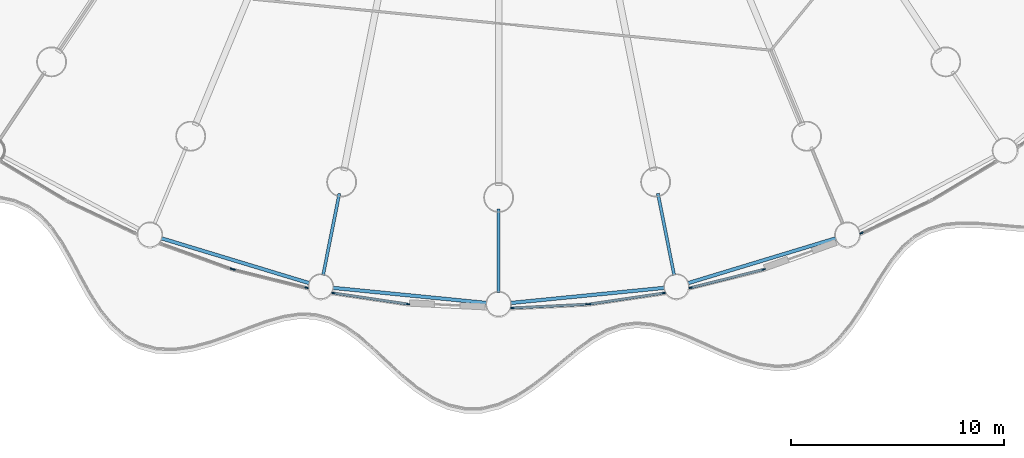
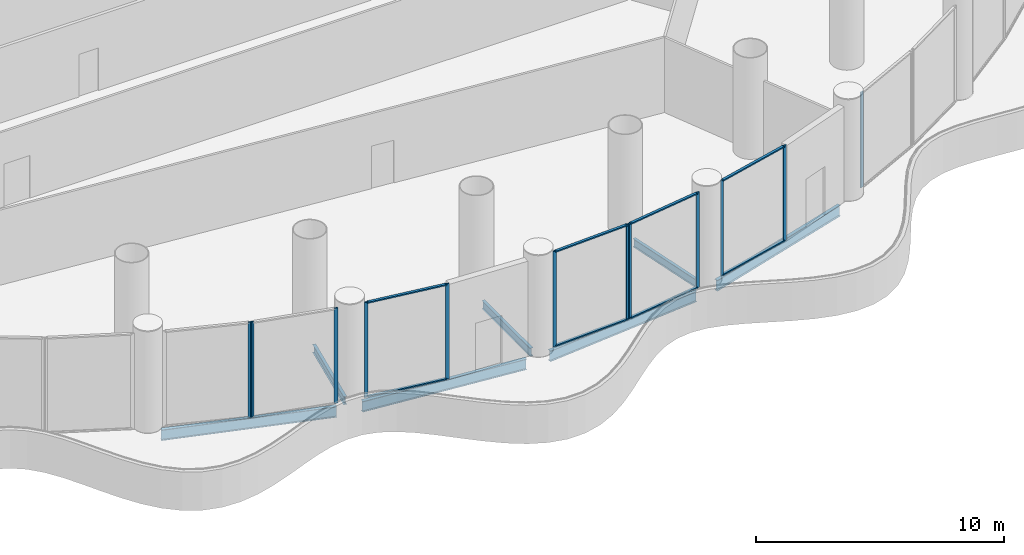
# One storey, part 5 of 38: 20 members, 7 beams, 7 elements without a shape of their own.
"""IFC4 building model written with IfcOpenShell, lengths in metres."""

import ifcopenshell
import ifcopenshell.guid

model = None  # the IFC model being written
_history = None  # IfcOwnerHistory: only IFC2X3 demands one
_inside = {}  # id of a spatial element -> (the spatial element, [elements in it])
_under = {}  # id of a project, library or spatial element -> (it, [spatial elements below it])
_declared = {}  # id of a project -> (the project, [libraries it declares])
_typed = {}  # id of a type object -> (the type object, [elements of that type])
_made_of = {}  # id of a material, layer set ... -> (it, [elements and type objects made of it])


def new_model(schema):
    """Start an empty IFC model of exactly this schema.

    Asked for "IFC4X3", IfcOpenShell would pick the latest addendum, in which some entities
    have other attributes; the version numbers below select the first issue.
    IFC2X3 requires an IfcOwnerHistory on every rooted entity: one is made here for all.
    """
    global model, _history
    if schema == "IFC4X3":
        model = ifcopenshell.file(schema_version=(4, 3, 0, 0))
    else:
        model = ifcopenshell.file(schema=schema)
    _inside.clear()
    _under.clear()
    _declared.clear()
    _typed.clear()
    _made_of.clear()
    _history = None
    if model.schema == "IFC2X3":
        org = make("IfcOrganization", Name="unknown")
        user = make(
            "IfcPersonAndOrganization",
            ThePerson=make("IfcPerson", FamilyName="unknown"),
            TheOrganization=org,
        )
        app = make(
            "IfcApplication",
            ApplicationDeveloper=org,
            Version="unknown",
            ApplicationFullName="unknown",
            ApplicationIdentifier="unknown",
        )
        _history = make(
            "IfcOwnerHistory",
            OwningUser=user,
            OwningApplication=app,
            ChangeAction="ADDED",
            CreationDate=0,
        )
    return model


def make(cls, **values):
    """One entity of the class cls with the attributes given. An attribute that is None is left unset."""
    return model.create_entity(
        cls, **{name: value for name, value in values.items() if value is not None}
    )


def rooted(cls, **values):
    """An entity with a GlobalId (a new one), such as an element, a storey or a relation."""
    return make(cls, GlobalId=ifcopenshell.guid.new(), OwnerHistory=_history, **values)


def si_unit(unit_type, name, prefix=None):
    """IfcSIUnit, for example si_unit("LENGTHUNIT", "METRE", prefix="MILLI")."""
    return make("IfcSIUnit", UnitType=unit_type, Prefix=prefix, Name=name)


def assignment(units):
    """IfcUnitAssignment: the units of a project."""
    return None if units is None else make("IfcUnitAssignment", Units=units)


def point(xyz):
    """IfcCartesianPoint."""
    return None if xyz is None else make("IfcCartesianPoint", Coordinates=xyz)


def direction(xyz):
    """IfcDirection."""
    return None if xyz is None else make("IfcDirection", DirectionRatios=xyz)


def frame(location, z_axis=None, x_axis=None):
    """IfcAxis2Placement3D, a coordinate frame: its origin and axes. An axis left out is left unset."""
    return make(
        "IfcAxis2Placement3D",
        Location=point(location),
        Axis=direction(z_axis),
        RefDirection=direction(x_axis),
    )


def frame_2d(location, x_axis=None):
    """IfcAxis2Placement2D, a coordinate frame in the plane: its origin and x axis."""
    return make(
        "IfcAxis2Placement2D", Location=point(location), RefDirection=direction(x_axis)
    )


def origin():
    """The frame at (0, 0, 0) with its axes left unset."""
    return frame((0.0, 0.0, 0.0))


def origin_2d():
    """The frame at (0, 0) in the plane with its x axis left unset."""
    return frame_2d((0.0, 0.0))


def place(relative_to, where):
    """IfcLocalPlacement: puts the frame where relative to a parent placement (None: the world)."""
    return make(
        "IfcLocalPlacement", PlacementRelTo=relative_to, RelativePlacement=where
    )


def context(
    kind, dimensions, precision=None, world=None, true_north=None, identifier=None
):
    """IfcGeometricRepresentationContext, for example the 3D "Model" context."""
    return make(
        "IfcGeometricRepresentationContext",
        ContextIdentifier=identifier,
        ContextType=kind,
        CoordinateSpaceDimension=dimensions,
        Precision=precision,
        WorldCoordinateSystem=world,
        TrueNorth=true_north,
    )


def subcontext(parent, identifier, kind, view, scale=None):
    """IfcGeometricRepresentationSubContext, for example "Body" below "Model"."""
    return make(
        "IfcGeometricRepresentationSubContext",
        ContextIdentifier=identifier,
        ContextType=kind,
        ParentContext=parent,
        TargetScale=scale,
        TargetView=view,
    )


def project(units=None, contexts=None):
    """IfcProject with its units and contexts."""
    return rooted(
        "IfcProject",
        Name="project",
        RepresentationContexts=contexts,
        UnitsInContext=assignment(units),
    )


def spatial(cls, under=None, at=None, **own):
    """A site, building, storey or space (cls), placed at a placement, below another one or the project."""
    s = rooted(cls, ObjectPlacement=at, **own)
    if under is not None:
        _under.setdefault(under.id(), (under, []))[1].append(s)
    return s


def profile(cls, at=None, kind="AREA", **sizes):
    """A parametric profile (cls). Its sizes go by their IFC names, for example OverallWidth=200.0."""
    return make(cls, ProfileType=kind, Position=at, **sizes)


def rectangle(**sizes):
    """IfcRectangleProfileDef."""
    return profile("IfcRectangleProfileDef", **sizes)


def i_section(**sizes):
    """IfcIShapeProfileDef."""
    return profile("IfcIShapeProfileDef", **sizes)


def extrude(swept, where, along, depth):
    """IfcExtrudedAreaSolid: the profile swept, set in the frame where, extruded along a direction by depth."""
    return make(
        "IfcExtrudedAreaSolid",
        SweptArea=swept,
        Position=where,
        ExtrudedDirection=direction(along),
        Depth=depth,
    )


def shape(context_of_items, identifier, shape_type, items):
    """IfcShapeRepresentation: the items that make up one representation, for example the "Body"."""
    return make(
        "IfcShapeRepresentation",
        ContextOfItems=context_of_items,
        RepresentationIdentifier=identifier,
        RepresentationType=shape_type,
        Items=items,
    )


def material(Name=None, Category=None):
    """IfcMaterial."""
    return make("IfcMaterial", Name=Name, Category=Category)


def material_profile(
    of_material, cross_section, Name=None, Category=None, Priority=None
):
    """IfcMaterialProfile: a cross section and its material."""
    return make(
        "IfcMaterialProfile",
        Name=Name,
        Material=of_material,
        Profile=cross_section,
        Priority=Priority,
        Category=Category,
    )


def profile_set(profiles, Name=None, composite=None):
    """IfcMaterialProfileSet."""
    return make(
        "IfcMaterialProfileSet",
        Name=Name,
        MaterialProfiles=profiles,
        CompositeProfile=composite,
    )


def made_of(thing, what):
    """Note that an element or type object is made of a material, layer set ...; save() writes the relation."""
    if what is not None:
        _made_of.setdefault(what.id(), (what, []))[1].append(thing)
    return thing


def type_object(cls, material=None, **own):
    """A type object (cls), such as IfcWallType, which elements share."""
    return made_of(rooted(cls, **own), material)


def element(
    cls,
    number,
    at=None,
    inside=None,
    cuts=None,
    type_object=None,
    material=None,
    context=None,
    identifier="Body",
    shape_type=None,
    held_by="IfcProductDefinitionShape",
    body=None,
    shapes=None,
    **own,
):
    """One element of the class cls, such as IfcWall. Its Tag is "e" and its number.

    at: its placement. inside: the storey or other place that contains it. cuts: it is an
    opening in that element (IfcRelVoidsElement). A single representation is given by context,
    identifier, shape_type and body (its items); several are given by shapes. held_by: the class
    of the entity that holds the representations. save() writes the other relations.
    """
    e = rooted(cls, Tag="e%d" % number, ObjectPlacement=at, **own)
    if body is not None:
        shapes = [shape(context, identifier, shape_type, body)]
    if shapes is not None:
        e.Representation = make(held_by, Representations=shapes)
    if inside is not None:
        _inside.setdefault(inside.id(), (inside, []))[1].append(e)
    if cuts is not None:
        rooted(
            "IfcRelVoidsElement", RelatingBuildingElement=cuts, RelatedOpeningElement=e
        )
    if type_object is not None:
        _typed.setdefault(type_object.id(), (type_object, []))[1].append(e)
    return made_of(e, material)


def aggregate(whole, parts):
    """IfcRelAggregates: a whole, such as a stair, and the parts it consists of."""
    return rooted("IfcRelAggregates", RelatingObject=whole, RelatedObjects=parts)


def save(model, path):
    """Write the relations noted so far, then the file.

    IfcRelAggregates (storeys below a building ...), IfcRelContainedInSpatialStructure (elements
    in a storey), IfcRelDefinesByType, IfcRelAssociatesMaterial and IfcRelDeclares: one each for
    every whole, place, type object, material and project.
    """
    for whole, parts in _under.values():
        aggregate(whole, parts)
    for where, things in _inside.values():
        rooted(
            "IfcRelContainedInSpatialStructure",
            RelatedElements=things,
            RelatingStructure=where,
        )
    for kind, things in _typed.values():
        rooted("IfcRelDefinesByType", RelatedObjects=things, RelatingType=kind)
    for what, things in _made_of.values():
        rooted("IfcRelAssociatesMaterial", RelatedObjects=things, RelatingMaterial=what)
    for by, libraries in _declared.values():
        rooted("IfcRelDeclares", RelatingContext=by, RelatedDefinitions=libraries)
    model.write(path)


model = new_model("IFC4")

# Units and contexts
model_context = context("Model", 3, precision=1e-05, world=origin(), true_north=direction((0.0, 1.0)))
body_context = subcontext(model_context, "Body", "Model", "MODEL_VIEW")
ifc_project = project(units=[si_unit("LENGTHUNIT", "METRE"), si_unit("AREAUNIT", "SQUARE_METRE"), si_unit("VOLUMEUNIT", "CUBIC_METRE"), si_unit("PLANEANGLEUNIT", "RADIAN"), si_unit("MASSUNIT", "GRAM", prefix="KILO")], contexts=[model_context])

# Site, building, storey
site_placement = place(None, origin())
site = spatial("IfcSite", under=ifc_project, at=site_placement, CompositionType="ELEMENT")
building_placement = place(site_placement, origin())
building = spatial("IfcBuilding", under=site, at=building_placement, Name="Corvane Civic Tower", CompositionType="ELEMENT")
storey_placement = place(building_placement, frame((0.0, 0.0, 32.0)))
storey = spatial("IfcBuildingStorey", under=building, at=storey_placement, Name="L06", CompositionType="ELEMENT", Elevation=32.0)

# Beams
ifc_material_1 = material(Name="Steel ASTM A992 Gr 50", Category="steel")
ifc_material_profile_1 = material_profile(ifc_material_1, i_section(OverallWidth=0.165771484375, OverallDepth=0.5283203125, WebThickness=0.009765625, FlangeThickness=0.013671875, at=origin_2d()), Name="W21X50")
ifc_profile_set_1 = profile_set([ifc_material_profile_1], Name="Steel ASTM A992 Gr 50")
beam_type_1 = type_object("IfcBeamType", Name="EDGE BEAM W21X50", PredefinedType="BEAM", material=ifc_profile_set_1)
for number, where, z_axis, x_axis, name in (
    (1, (15.814208984375, -39.609375, -0.564208984375), (-0.956938225664, -0.290291633127, 0.0), (0.290291633127, -0.956938225664, 0.0), "BM-L06-E15"),
    (2, (7.782958984375, -41.93359375, -0.564208984375), (-0.995187967953, -0.097984225478, 0.0), (0.097984225478, -0.995187967953, 0.0), "BM-L06-E16"),
    (3, (-0.54736328125, -42.64599609375, -0.564208984375), (-0.995187967953, 0.097984225478, 0.0), (-0.097984225478, -0.995187967953, 0.0), "BM-L06-E17"),
    (4, (-8.856689453125, -41.719970703125, -0.564208984375), (-0.956938225664, 0.290291633127, 0.0), (-0.290291633127, -0.956938225664, 0.0), "BM-L06-E18"),
):
    element("IfcBeam", number, at=place(storey_placement, frame(where, z_axis=z_axis, x_axis=x_axis)), inside=storey, type_object=beam_type_1, Name=name, PredefinedType="BEAM", context=body_context, shape_type="SweptSolid", body=[
        extrude(i_section(OverallWidth=0.165771484375, OverallDepth=0.5283203125, WebThickness=0.009765625, FlangeThickness=0.013671875, at=origin_2d()), origin(), (0.0, 0.0, 1.0), 7.2705078125),
    ])
ifc_material_2 = material(Name="Steel ASTM A992 Gr 50", Category="steel")
ifc_material_profile_2 = material_profile(ifc_material_2, i_section(OverallWidth=0.140380859375, OverallDepth=0.40380859375, WebThickness=0.007080078125, FlangeThickness=0.01123046875, at=origin_2d()), Name="W16X31")
ifc_profile_set_2 = profile_set([ifc_material_profile_2], Name="Steel ASTM A992 Gr 50")
beam_type_2 = type_object("IfcBeamType", Name="FLOOR GIRDER W16X31", PredefinedType="BEAM", material=ifc_profile_set_2)
for number, where, z_axis, x_axis, name in (
    (5, (7.462158203125, -37.51513671875, -0.501953125), (0.195128858343, -0.980777614264, 0.0), (0.980777614264, 0.195128858343, 0.0), "BM-L06-G16b"),
    (6, (0.0, -38.25, -0.501953125), (0.0, -1.0, 0.0), (1.0, 0.0, 0.0), "BM-L06-G17b"),
    (7, (-7.462158203125, -37.51513671875, -0.501953125), (-0.195128858343, -0.980777614264, 0.0), (0.980777614264, -0.195128858343, 0.0), "BM-L06-G18b"),
):
    element("IfcBeam", number, at=place(storey_placement, frame(where, z_axis=z_axis, x_axis=x_axis)), inside=storey, type_object=beam_type_2, Name=name, PredefinedType="BEAM", context=body_context, shape_type="SweptSolid", body=[
        extrude(i_section(OverallWidth=0.140380859375, OverallDepth=0.40380859375, WebThickness=0.007080078125, FlangeThickness=0.01123046875, at=origin_2d()), origin(), (0.0, 0.0, 1.0), 3.89990234375),
    ])

# Curtain wall, member
ifc_material_3 = material(Name="Aluminium and glass", Category="aluminium")
curtain_wall_type = type_object("IfcCurtainWallType", Name="PODIUM-CW-P-RUN", PredefinedType="NOTDEFINED", material=ifc_material_3)
curtain_wall_1_placement = place(storey_placement, origin())
curtain_wall_1 = element("IfcCurtainWall", 8, at=curtain_wall_1_placement, inside=storey, type_object=curtain_wall_type, Name="PODI run L06-drum-14B", PredefinedType="NOTDEFINED")
ifc_material_4 = material(Name="Anodised aluminium bronze", Category="aluminium")
ifc_material_profile_3 = material_profile(ifc_material_4, rectangle(XDim=0.06005859375, YDim=0.159912109375, at=origin_2d()), Name="AL 60x160")
ifc_profile_set_3 = profile_set([ifc_material_profile_3], Name="Anodised aluminium bronze")
member_type_1 = type_object("IfcMemberType", Name="PODIUM-CWP-MULLION-60x160", PredefinedType="MULLION", material=ifc_profile_set_3)
member_1_placement = place(storey_placement, frame((17.00439453125, -39.36767578125, 0.0), z_axis=(0.0, 0.0, 1.0), x_axis=(0.42755312852, -0.903990222454, 0.0)))
member_1 = element("IfcMember", 9, at=member_1_placement, type_object=member_type_1, Name="CW-P mullion 2", PredefinedType="MULLION", context=body_context, shape_type="SweptSolid", body=[
    extrude(rectangle(XDim=0.06005859375, YDim=0.159912109375, at=origin_2d()), origin(), (0.0, 0.0, 1.0), 4.699951171875),
])
aggregate(curtain_wall_1, [member_1])

# Curtain wall, members
curtain_wall_2_placement = place(storey_placement, origin())
curtain_wall_2 = element("IfcCurtainWall", 10, at=curtain_wall_2_placement, inside=storey, type_object=curtain_wall_type, Name="PODI run L06-drum-15B", PredefinedType="NOTDEFINED")
member_2_placement = place(storey_placement, frame((12.411865234375, -41.0732421875, 0.0), z_axis=(0.0, 0.0, 1.0), x_axis=(0.243008852393, -0.970024070659, 0.0)))
member_2 = element("IfcMember", 11, at=member_2_placement, type_object=member_type_1, Name="CW-P mullion 1", PredefinedType="MULLION", context=body_context, shape_type="SweptSolid", body=[
    extrude(rectangle(XDim=0.06005859375, YDim=0.159912109375, at=origin_2d()), origin(), (0.0, 0.0, 1.0), 4.699951171875),
])
member_3_placement = place(storey_placement, frame((8.99755859375, -41.9287109375, 0.0), z_axis=(0.0, 0.0, 1.0), x_axis=(0.243008852393, -0.970024070659, 0.0)))
member_3 = element("IfcMember", 12, at=member_3_placement, type_object=member_type_1, Name="CW-P mullion 2", PredefinedType="MULLION", context=body_context, shape_type="SweptSolid", body=[
    extrude(rectangle(XDim=0.06005859375, YDim=0.159912109375, at=origin_2d()), origin(), (0.0, 0.0, 1.0), 4.699951171875),
])

curtain_wall_3_placement = place(storey_placement, origin())
curtain_wall_3 = element("IfcCurtainWall", 13, at=curtain_wall_3_placement, inside=storey, type_object=curtain_wall_type, Name="PODI run L06-drum-16A", PredefinedType="NOTDEFINED")
member_4_placement = place(storey_placement, frame((7.732666015625, -42.18017578125, 0.0), z_axis=(0.0, 0.0, 1.0), x_axis=(0.146714694252, -0.989178850608, 0.0)))
member_4 = element("IfcMember", 14, at=member_4_placement, type_object=member_type_1, Name="CW-P mullion 1", PredefinedType="MULLION", context=body_context, shape_type="SweptSolid", body=[
    extrude(rectangle(XDim=0.06005859375, YDim=0.159912109375, at=origin_2d()), origin(), (0.0, 0.0, 1.0), 4.699951171875),
])
member_5_placement = place(storey_placement, frame((4.2509765625, -42.696533203125, 0.0), z_axis=(0.0, 0.0, 1.0), x_axis=(0.146714694252, -0.989178850608, 0.0)))
member_5 = element("IfcMember", 15, at=member_5_placement, type_object=member_type_1, Name="CW-P mullion 2", PredefinedType="MULLION", context=body_context, shape_type="SweptSolid", body=[
    extrude(rectangle(XDim=0.06005859375, YDim=0.159912109375, at=origin_2d()), origin(), (0.0, 0.0, 1.0), 4.699951171875),
])

curtain_wall_4_placement = place(storey_placement, origin())
curtain_wall_4 = element("IfcCurtainWall", 16, at=curtain_wall_4_placement, inside=storey, type_object=curtain_wall_type, Name="PODI run L06-drum-16B", PredefinedType="NOTDEFINED")
member_6_placement = place(storey_placement, frame((4.16064453125, -42.70556640625, 0.0), z_axis=(0.0, 0.0, 1.0), x_axis=(0.04905015332, -0.998796316803, 0.0)))
member_6 = element("IfcMember", 17, at=member_6_placement, type_object=member_type_1, Name="CW-P mullion 1", PredefinedType="MULLION", context=body_context, shape_type="SweptSolid", body=[
    extrude(rectangle(XDim=0.06005859375, YDim=0.159912109375, at=origin_2d()), origin(), (0.0, 0.0, 1.0), 4.699951171875),
])
member_7_placement = place(storey_placement, frame((0.644775390625, -42.878173828125, 0.0), z_axis=(0.0, 0.0, 1.0), x_axis=(0.04905015332, -0.998796316803, 0.0)))
member_7 = element("IfcMember", 18, at=member_7_placement, type_object=member_type_1, Name="CW-P mullion 2", PredefinedType="MULLION", context=body_context, shape_type="SweptSolid", body=[
    extrude(rectangle(XDim=0.06005859375, YDim=0.159912109375, at=origin_2d()), origin(), (0.0, 0.0, 1.0), 4.699951171875),
])

curtain_wall_5_placement = place(storey_placement, origin())
curtain_wall_5 = element("IfcCurtainWall", 19, at=curtain_wall_5_placement, inside=storey, type_object=curtain_wall_type, Name="PODI run L06-drum-17B", PredefinedType="NOTDEFINED")
member_8_placement = place(storey_placement, frame((-4.2509765625, -42.696533203125, 0.0), z_axis=(0.0, 0.0, 1.0), x_axis=(-0.146714694252, -0.989178850608, 0.0)))
member_8 = element("IfcMember", 20, at=member_8_placement, type_object=member_type_1, Name="CW-P mullion 1", PredefinedType="MULLION", context=body_context, shape_type="SweptSolid", body=[
    extrude(rectangle(XDim=0.06005859375, YDim=0.159912109375, at=origin_2d()), origin(), (0.0, 0.0, 1.0), 4.699951171875),
])
member_9_placement = place(storey_placement, frame((-7.732666015625, -42.18017578125, 0.0), z_axis=(0.0, 0.0, 1.0), x_axis=(-0.146714694252, -0.989178850608, 0.0)))
member_9 = element("IfcMember", 21, at=member_9_placement, type_object=member_type_1, Name="CW-P mullion 2", PredefinedType="MULLION", context=body_context, shape_type="SweptSolid", body=[
    extrude(rectangle(XDim=0.06005859375, YDim=0.159912109375, at=origin_2d()), origin(), (0.0, 0.0, 1.0), 4.699951171875),
])

curtain_wall_6_placement = place(storey_placement, origin())
curtain_wall_6 = element("IfcCurtainWall", 22, at=curtain_wall_6_placement, inside=storey, type_object=curtain_wall_type, Name="PODI run L06-drum-18A", PredefinedType="NOTDEFINED")
member_10_placement = place(storey_placement, frame((-8.99755859375, -41.9287109375, 0.0), z_axis=(0.0, 0.0, 1.0), x_axis=(-0.243008852393, -0.970024070659, 0.0)))
member_10 = element("IfcMember", 23, at=member_10_placement, type_object=member_type_1, Name="CW-P mullion 1", PredefinedType="MULLION", context=body_context, shape_type="SweptSolid", body=[
    extrude(rectangle(XDim=0.06005859375, YDim=0.159912109375, at=origin_2d()), origin(), (0.0, 0.0, 1.0), 4.699951171875),
])
member_11_placement = place(storey_placement, frame((-12.411865234375, -41.0732421875, 0.0), z_axis=(0.0, 0.0, 1.0), x_axis=(-0.243008852393, -0.970024070659, 0.0)))
member_11 = element("IfcMember", 24, at=member_11_placement, type_object=member_type_1, Name="CW-P mullion 2", PredefinedType="MULLION", context=body_context, shape_type="SweptSolid", body=[
    extrude(rectangle(XDim=0.06005859375, YDim=0.159912109375, at=origin_2d()), origin(), (0.0, 0.0, 1.0), 4.699951171875),
])
aggregate(curtain_wall_6, [member_10, member_11])

# Curtain wall, member
curtain_wall_7_placement = place(storey_placement, origin())
curtain_wall_7 = element("IfcCurtainWall", 25, at=curtain_wall_7_placement, inside=storey, type_object=curtain_wall_type, Name="PODI run L06-drum-18B", PredefinedType="NOTDEFINED")
member_12_placement = place(storey_placement, frame((-12.4990234375, -41.046875, 0.0), z_axis=(0.0, 0.0, 1.0), x_axis=(-0.336918534123, -0.941533802561, 0.0)))
member_12 = element("IfcMember", 26, at=member_12_placement, type_object=member_type_1, Name="CW-P mullion 1", PredefinedType="MULLION", context=body_context, shape_type="SweptSolid", body=[
    extrude(rectangle(XDim=0.06005859375, YDim=0.159912109375, at=origin_2d()), origin(), (0.0, 0.0, 1.0), 4.699951171875),
])
aggregate(curtain_wall_7, [member_12])

# Member
ifc_material_5 = material(Name="Anodised aluminium bronze", Category="aluminium")
ifc_material_profile_4 = material_profile(ifc_material_5, rectangle(XDim=0.1201171875, YDim=0.06005859375, at=origin_2d()), Name="AL 120x60")
ifc_profile_set_4 = profile_set([ifc_material_profile_4], Name="Anodised aluminium bronze")
member_type_2 = type_object("IfcMemberType", Name="PODIUM-CWP-TRANSOM-60x120", PredefinedType="USERDEFINED", material=ifc_profile_set_4)
member_13_placement = place(storey_placement, frame((12.3828125, -41.08056640625, 0.030029296875), z_axis=(-0.970022009425, -0.243017080124, 0.0), x_axis=(0.243017080124, -0.970022009425, 0.0)))
member_13 = element("IfcMember", 27, at=member_13_placement, type_object=member_type_2, Name="CW-P transom 1.1", ObjectType="TRANSOM", PredefinedType="USERDEFINED", context=body_context, shape_type="SweptSolid", body=[
    extrude(rectangle(XDim=0.1201171875, YDim=0.06005859375, at=origin_2d()), origin(), (0.0, 0.0, 1.0), 3.4599609375),
])

member_14_placement = place(storey_placement, frame((12.3828125, -41.08056640625, 4.669921875), z_axis=(-0.970022009425, -0.243017080124, 0.0), x_axis=(0.243017080124, -0.970022009425, 0.0)))
member_14 = element("IfcMember", 28, at=member_14_placement, type_object=member_type_2, Name="CW-P transom 1.2", ObjectType="TRANSOM", PredefinedType="USERDEFINED", context=body_context, shape_type="SweptSolid", body=[
    extrude(rectangle(XDim=0.1201171875, YDim=0.06005859375, at=origin_2d()), origin(), (0.0, 0.0, 1.0), 3.4599609375),
])

aggregate(curtain_wall_2, [member_2, member_3, member_13, member_14])

member_15_placement = place(storey_placement, frame((7.703125, -42.1845703125, 0.030029296875), z_axis=(-0.989180338828, -0.146704660039, 0.0), x_axis=(0.146704660039, -0.989180338828, 0.0)))
member_15 = element("IfcMember", 29, at=member_15_placement, type_object=member_type_2, Name="CW-P transom 1.1", ObjectType="TRANSOM", PredefinedType="USERDEFINED", context=body_context, shape_type="SweptSolid", body=[
    extrude(rectangle(XDim=0.1201171875, YDim=0.06005859375, at=origin_2d()), origin(), (0.0, 0.0, 1.0), 3.459716796875),
])

member_16_placement = place(storey_placement, frame((7.703125, -42.1845703125, 4.669921875), z_axis=(-0.989180338828, -0.146704660039, 0.0), x_axis=(0.146704660039, -0.989180338828, 0.0)))
member_16 = element("IfcMember", 30, at=member_16_placement, type_object=member_type_2, Name="CW-P transom 1.2", ObjectType="TRANSOM", PredefinedType="USERDEFINED", context=body_context, shape_type="SweptSolid", body=[
    extrude(rectangle(XDim=0.1201171875, YDim=0.06005859375, at=origin_2d()), origin(), (0.0, 0.0, 1.0), 3.459716796875),
])

aggregate(curtain_wall_3, [member_4, member_5, member_15, member_16])

member_17_placement = place(storey_placement, frame((4.130615234375, -42.70703125, 0.030029296875), z_axis=(-0.998796806423, -0.049040182301, 0.0), x_axis=(0.049040182301, -0.998796806423, 0.0)))
member_17 = element("IfcMember", 31, at=member_17_placement, type_object=member_type_2, Name="CW-P transom 1.1", ObjectType="TRANSOM", PredefinedType="USERDEFINED", context=body_context, shape_type="SweptSolid", body=[
    extrude(rectangle(XDim=0.1201171875, YDim=0.06005859375, at=origin_2d()), origin(), (0.0, 0.0, 1.0), 3.4599609375),
])

member_18_placement = place(storey_placement, frame((4.130615234375, -42.70703125, 4.669921875), z_axis=(-0.998796806423, -0.049040182301, 0.0), x_axis=(0.049040182301, -0.998796806423, 0.0)))
member_18 = element("IfcMember", 32, at=member_18_placement, type_object=member_type_2, Name="CW-P transom 1.2", ObjectType="TRANSOM", PredefinedType="USERDEFINED", context=body_context, shape_type="SweptSolid", body=[
    extrude(rectangle(XDim=0.1201171875, YDim=0.06005859375, at=origin_2d()), origin(), (0.0, 0.0, 1.0), 3.4599609375),
])

aggregate(curtain_wall_4, [member_6, member_7, member_17, member_18])

member_19_placement = place(storey_placement, frame((-4.28076171875, -42.692138671875, 0.030029296875), z_axis=(-0.989180338828, 0.146704660039, 0.0), x_axis=(-0.146704660039, -0.989180338828, 0.0)))
member_19 = element("IfcMember", 33, at=member_19_placement, type_object=member_type_2, Name="CW-P transom 1.1", ObjectType="TRANSOM", PredefinedType="USERDEFINED", context=body_context, shape_type="SweptSolid", body=[
    extrude(rectangle(XDim=0.1201171875, YDim=0.06005859375, at=origin_2d()), origin(), (0.0, 0.0, 1.0), 3.459716796875),
])

member_20_placement = place(storey_placement, frame((-4.28076171875, -42.692138671875, 4.669921875), z_axis=(-0.989180338828, 0.146704660039, 0.0), x_axis=(-0.146704660039, -0.989180338828, 0.0)))
member_20 = element("IfcMember", 34, at=member_20_placement, type_object=member_type_2, Name="CW-P transom 1.2", ObjectType="TRANSOM", PredefinedType="USERDEFINED", context=body_context, shape_type="SweptSolid", body=[
    extrude(rectangle(XDim=0.1201171875, YDim=0.06005859375, at=origin_2d()), origin(), (0.0, 0.0, 1.0), 3.459716796875),
])

aggregate(curtain_wall_5, [member_8, member_9, member_19, member_20])

save(model, "model.ifc")
